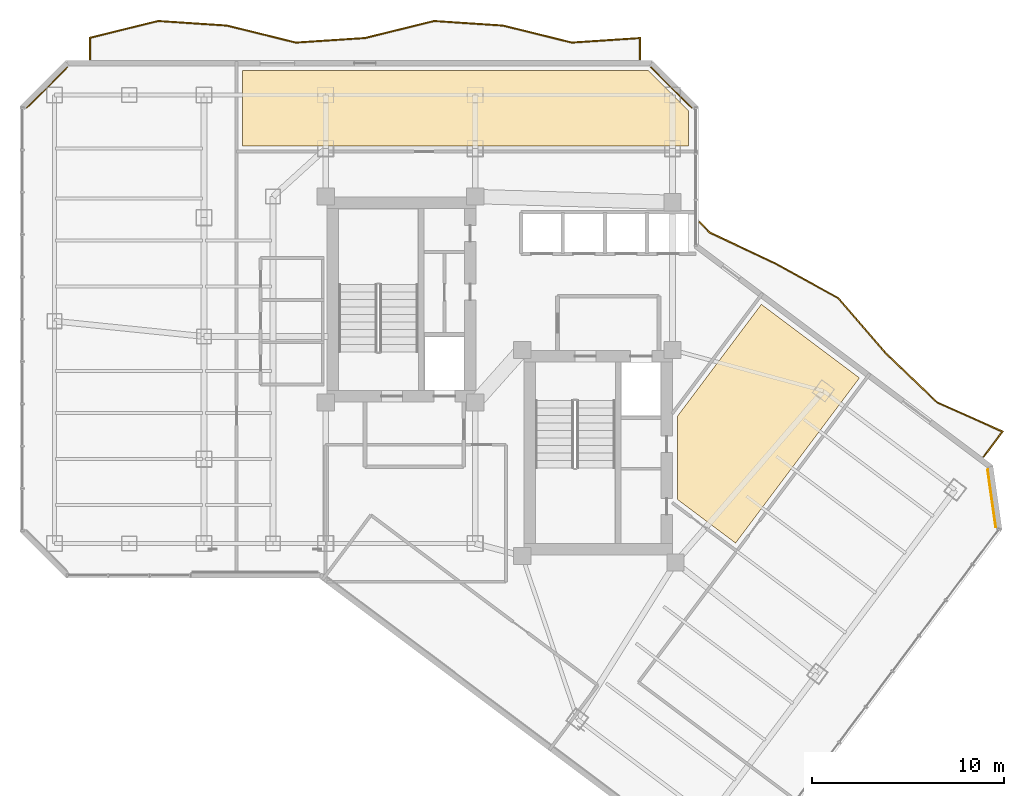
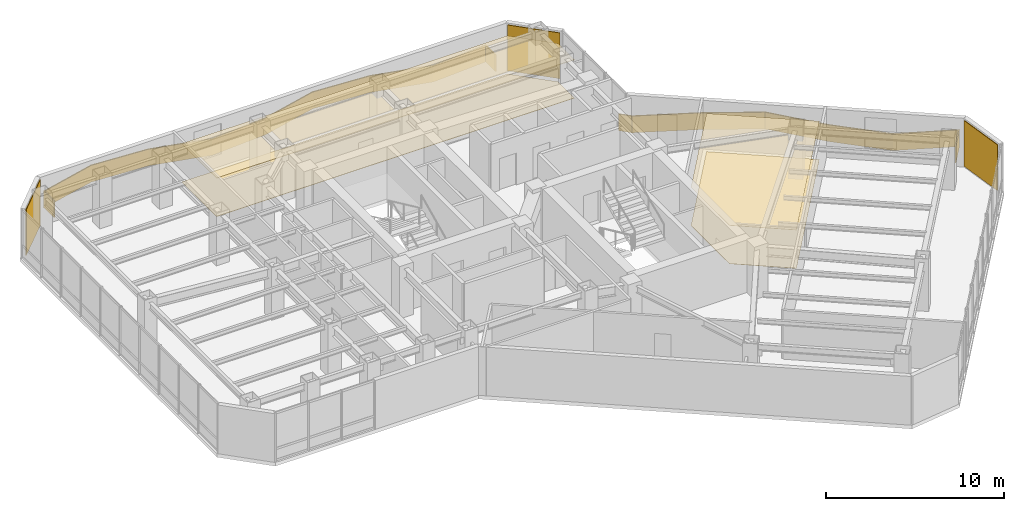
# One storey, part 26 of 26: 7 coverings, 2 railings.
"""IFC4 building model written with IfcOpenShell, lengths in metres."""

from ifc_helpers import new_model, si_unit, direction, frame, origin, origin_2d, place, context, subcontext, project, spatial, polyline, rectangle, outline, extrude, material, layer, layer_set, type_object, element, save


model = new_model("IFC4")

# Units and contexts
model_context = context("Model", 3, precision=1e-05, world=origin(), true_north=direction((0.0, 1.0)))
body_context = subcontext(model_context, "Body", "Model", "MODEL_VIEW")
ifc_project = project(units=[si_unit("LENGTHUNIT", "METRE"), si_unit("AREAUNIT", "SQUARE_METRE"), si_unit("VOLUMEUNIT", "CUBIC_METRE"), si_unit("PLANEANGLEUNIT", "RADIAN"), si_unit("MASSUNIT", "GRAM", prefix="KILO")], contexts=[model_context])

# Site, building, storey
site_placement = place(None, origin())
site = spatial("IfcSite", under=ifc_project, at=site_placement, CompositionType="ELEMENT")
building_placement = place(site_placement, origin())
building = spatial("IfcBuilding", under=site, at=building_placement, Name="Hatsunagi Terrace Concourse", CompositionType="ELEMENT")
storey_placement = place(building_placement, frame((0.0, 0.0, 152.85009765625)))
storey = spatial("IfcBuildingStorey", under=building, at=storey_placement, Name="L40", CompositionType="ELEMENT", Elevation=152.85009765625)

# Covering
ifc_material_1 = material(Name="Acoustic mineral board", Category="gypsum")
ifc_layer_1 = layer(ifc_material_1, 0.02001953125)
ifc_layer_set_1 = layer_set([ifc_layer_1], Name="AcousticMineralCeiling_20")
covering_type_1 = type_object("IfcCoveringType", Name="AcousticMineralCeiling_20", PredefinedType="CEILING", material=ifc_layer_set_1)
covering_1_placement = place(storey_placement, frame((0.0, 0.0, 2.6298828125)))
element("IfcCovering", 1, at=covering_1_placement, inside=storey, type_object=covering_type_1, Name="Suspended Ceiling L40-2", PredefinedType="CEILING", context=body_context, shape_type="SweptSolid", body=[
    extrude(outline(polyline([(48.281982421875, 37.676025390625), (43.89990234375, 31.833984375), (43.89990234375, 27.5), (46.93994140625, 25.219970703125), (53.402099609375, 33.8359375), (48.281982421875, 37.676025390625)])), origin(), (0.0, 0.0, 1.0), 0.02001953125),
])

# Railings
ifc_material_2 = material(Name="Laminated Glass and Stainless Steel Guard", Category="steel")
ifc_layer_2 = layer(ifc_material_2, 0.070068359375)
ifc_layer_set_2 = layer_set([ifc_layer_2], Name="BalconyGlassGuardRail_1150")
railing_type = type_object("IfcRailingType", Name="BalconyGlassGuardRail_1150", PredefinedType="BALUSTRADE", material=ifc_layer_set_2)
railing_1_placement = place(storey_placement, origin())
element("IfcRailing", 2, at=railing_1_placement, inside=storey, type_object=railing_type, Name="Engawa Balcony Guard GRD-01 L40-BN-1", PredefinedType="BALUSTRADE", context=body_context, shape_type="SweptSolid", body=[
    extrude(outline(polyline([(13.215087890625, 50.449951171875), (13.284912109375, 50.449951171875), (13.284912109375, 51.55859375), (16.80712890625, 52.427734375), (20.38671875, 52.190185546875), (23.992919921875, 51.3017578125), (27.61328125, 51.540283203125), (31.20703125, 52.427734375), (34.78662109375, 52.190185546875), (38.392822265625, 51.3017578125), (41.9150390625, 51.53466796875), (41.9150390625, 50.449951171875), (41.985107421875, 50.449951171875), (41.985107421875, 51.609375), (38.399169921875, 51.372314453125), (34.79736328125, 52.259765625), (31.200927734375, 52.498291015625), (27.6025390625, 51.609619140625), (23.9990234375, 51.372314453125), (20.3974609375, 52.259765625), (16.80078125, 52.498291015625), (13.215087890625, 51.61328125), (13.215087890625, 50.449951171875)])), origin(), (0.0, 0.0, 1.0), 1.14990234375),
])
railing_2_placement = place(storey_placement, origin())
element("IfcRailing", 3, at=railing_2_placement, inside=storey, type_object=railing_type, Name="Engawa Balcony Guard GRD-01 L40-BSE-1", PredefinedType="BALUSTRADE", context=body_context, shape_type="SweptSolid", body=[
    extrude(outline(polyline([(45.071044921875, 42.01220703125), (45.02099609375, 41.963623046875), (45.572265625, 41.39404296875), (48.9990234375, 39.773681640625), (52.256591796875, 37.9814453125), (54.7275390625, 35.126953125), (57.43017578125, 32.532470703125), (60.810791015625, 31.02392578125), (59.842041015625, 29.73095703125), (59.89794921875, 29.68896484375), (60.919189453125, 31.052001953125), (57.4697265625, 32.591552734375), (54.7783203125, 35.175048828125), (52.301513671875, 38.03662109375), (49.031005859375, 39.836181640625), (45.61376953125, 41.451904296875), (45.071044921875, 42.01220703125)])), origin(), (0.0, 0.0, 1.0), 1.14990234375),
])

# Coverings
ifc_material_3 = material(Name="Granite stone paving", Category="masonry")
ifc_layer_3 = layer(ifc_material_3, 0.02490234375)
ifc_layer_set_3 = layer_set([ifc_layer_3], Name="GraniteStoneFlooring_25")
covering_type_2 = type_object("IfcCoveringType", Name="GraniteStoneFlooring_25", PredefinedType="FLOORING", material=ifc_layer_set_3)
covering_2_placement = place(storey_placement, origin())
element("IfcCovering", 4, at=covering_2_placement, inside=storey, type_object=covering_type_2, Name="Finished Flooring L40-1", PredefinedType="FLOORING", context=body_context, shape_type="SweptSolid", body=[
    extrude(outline(polyline([(42.3798828125, 49.8701171875), (21.199951171875, 49.8701171875), (21.199951171875, 45.949951171875), (44.469970703125, 45.949951171875), (44.469970703125, 47.780029296875), (42.3798828125, 49.8701171875)])), origin(), (0.0, 0.0, 1.0), 0.02490234375),
])
ifc_material_4 = material(Name="Hardwood timber", Category="wood")
ifc_layer_4 = layer(ifc_material_4, 0.014892578125)
ifc_layer_set_4 = layer_set([ifc_layer_4], Name="HardwoodTimberFlooring_15")
covering_type_3 = type_object("IfcCoveringType", Name="HardwoodTimberFlooring_15", PredefinedType="FLOORING", material=ifc_layer_set_4)
covering_3_placement = place(storey_placement, origin())
element("IfcCovering", 5, at=covering_3_placement, inside=storey, type_object=covering_type_3, Name="Finished Flooring L40-2", PredefinedType="FLOORING", context=body_context, shape_type="SweptSolid", body=[
    extrude(outline(polyline([(48.281982421875, 37.676025390625), (43.89990234375, 31.833984375), (43.89990234375, 27.5), (46.93994140625, 25.219970703125), (53.402099609375, 33.8359375), (48.281982421875, 37.676025390625)])), origin(), (0.0, 0.0, 1.0), 0.014892578125),
])
ifc_material_5 = material(Name="Unglazed Warm Terracotta Rainscreen Tile", Category="masonry")
ifc_layer_5 = layer(ifc_material_5, 0.044921875)
ifc_layer_set_5 = layer_set([ifc_layer_5], Name="TerracottaRainscreenCladding_45")
covering_type_4 = type_object("IfcCoveringType", Name="TerracottaRainscreenCladding_45", PredefinedType="CLADDING", material=ifc_layer_set_5)
for number, where, z_axis, x_axis, name in (
    (6, (60.301025390625, 27.55810546875, 0.099853515625), (0.0, 0.0, 1.0), (0.141250262458, -0.989973920543, 0.0), "Terracotta Rainscreen Cladding L40-02"),
    (7, (11.013916015625, 48.986083984375, 0.099853515625), (0.0, 0.0, 1.0), (0.707106781187, 0.707106781187, 0.0), "Terracotta Rainscreen Cladding L40-10"),
    (8, (43.5859375, 48.986083984375, 0.099853515625), (0.0, 0.0, 1.0), (0.707106781187, -0.707106781187, 0.0), "Terracotta Rainscreen Cladding L40-12"),
):
    element("IfcCovering", number, at=place(storey_placement, frame(where, z_axis=z_axis, x_axis=x_axis)), inside=storey, type_object=covering_type_4, Name=name, PredefinedType="CLADDING", context=body_context, shape_type="SweptSolid", body=[
        extrude(rectangle(XDim=3.0380859375, YDim=0.044921875, at=origin_2d()), origin(), (0.0, 0.0, 1.0), 3.14990234375),
    ])
ifc_material_6 = material(Name="Hardwood timber", Category="wood")
ifc_layer_6 = layer(ifc_material_6, 0.034912109375)
ifc_layer_set_6 = layer_set([ifc_layer_6], Name="TimberBaffleCeiling_35")
covering_type_5 = type_object("IfcCoveringType", Name="TimberBaffleCeiling_35", PredefinedType="CEILING", material=ifc_layer_set_6)
covering_4_placement = place(storey_placement, frame((0.0, 0.0, 2.6298828125)))
element("IfcCovering", 9, at=covering_4_placement, inside=storey, type_object=covering_type_5, Name="Suspended Ceiling L40-1", PredefinedType="CEILING", context=body_context, shape_type="SweptSolid", body=[
    extrude(outline(polyline([(42.3798828125, 49.8701171875), (21.199951171875, 49.8701171875), (21.199951171875, 45.949951171875), (44.469970703125, 45.949951171875), (44.469970703125, 47.780029296875), (42.3798828125, 49.8701171875)])), origin(), (0.0, 0.0, 1.0), 0.034912109375),
])

save(model, "model.ifc")
